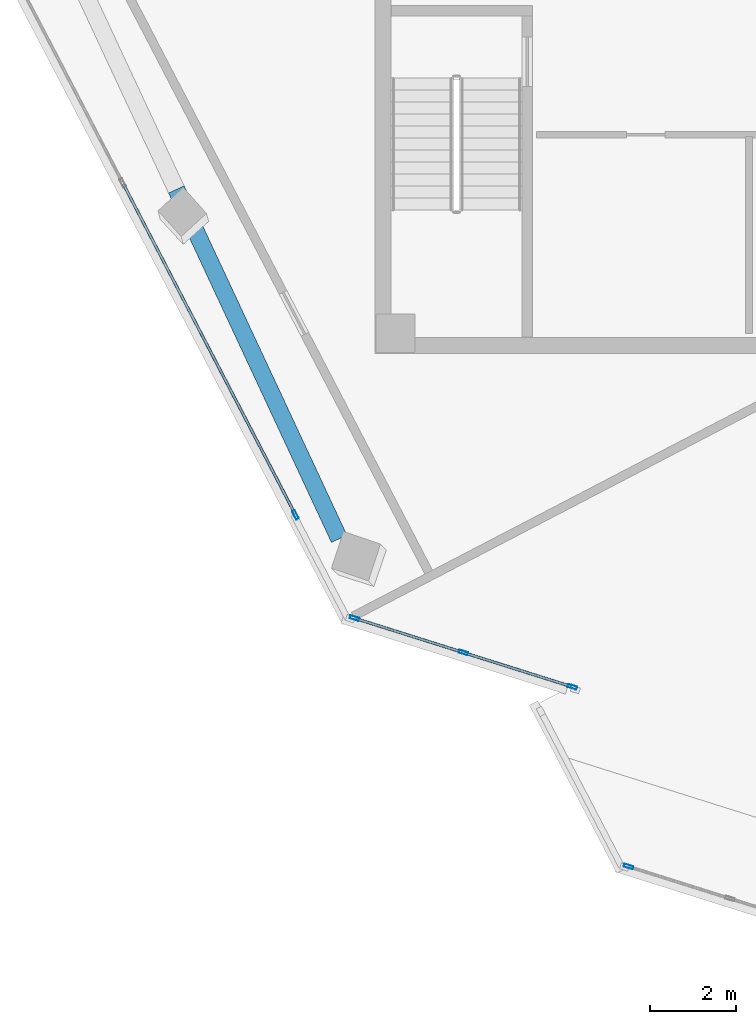
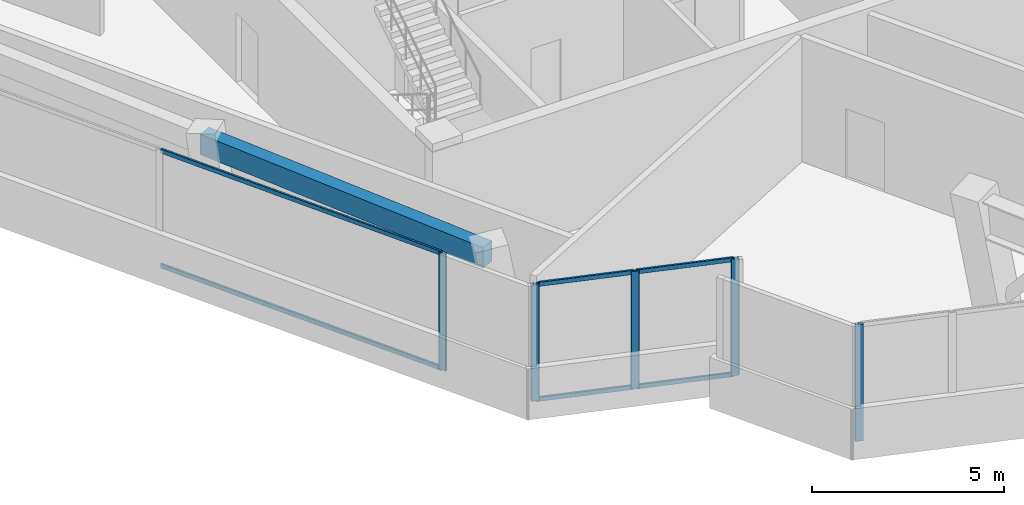
# One storey, part 2 of 16: 11 members, 1 beam, 3 elements without a shape of their own.
"""IFC4 building model written with IfcOpenShell, lengths in metres."""

from ifc_helpers import new_model, si_unit, direction, frame, origin, origin_2d, place, context, subcontext, project, spatial, rectangle, hollow_rectangle, extrude, source, transform, mapped, material, material_profile, profile_set, type_object, element, aggregate, save


model = new_model("IFC4")

# Units and contexts
model_context = context("Model", 3, precision=1e-05, world=origin(), true_north=direction((0.0, 1.0)))
body_context = subcontext(model_context, "Body", "Model", "MODEL_VIEW")
ifc_project = project(units=[si_unit("LENGTHUNIT", "METRE"), si_unit("AREAUNIT", "SQUARE_METRE"), si_unit("VOLUMEUNIT", "CUBIC_METRE"), si_unit("PLANEANGLEUNIT", "RADIAN"), si_unit("MASSUNIT", "GRAM", prefix="KILO")], contexts=[model_context])

# Site, building, storey
site_placement = place(None, origin())
site = spatial("IfcSite", under=ifc_project, at=site_placement, CompositionType="ELEMENT")
building_placement = place(site_placement, origin())
building = spatial("IfcBuilding", under=site, at=building_placement, Name="Torre Montelarca", CompositionType="ELEMENT")
storey_placement = place(building_placement, frame((0.0, 0.0, 336.60009765625)))
storey = spatial("IfcBuildingStorey", under=building, at=storey_placement, Name="L76", CompositionType="ELEMENT", Elevation=336.60009765625)

# Beam
ifc_material_1 = material(Name="Concrete C40/50", Category="concrete")
ifc_material_profile_1 = material_profile(ifc_material_1, rectangle(XDim=0.39990234375, YDim=0.64990234375, at=origin_2d()), Name="RCB400X650", Category="concrete")
ifc_profile_set_1 = profile_set([ifc_material_profile_1], Name="Concrete C40/50")
beam_type = type_object("IfcBeamType", Name="BM-SP-RC650-EXT", PredefinedType="SPANDREL", material=ifc_profile_set_1)
shared_shape_1 = source(origin(), body_context, "Body", "SweptSolid", [
    extrude(rectangle(XDim=0.39990234375, YDim=0.64990234375, at=origin_2d()), origin(), (0.0, 0.0, 1.0), 9.0),
])
beam_placement = place(storey_placement, frame((4.432373046875, 27.903076171875, 3.635009765625), z_axis=(0.422610711302, -0.906311307826, 0.0), x_axis=(0.906311307826, 0.422610711302, 0.0)))
element("IfcBeam", 1, at=beam_placement, inside=storey, type_object=beam_type, Name="L76 Grid Girder X 18.0-27.0 at Y=14.8", PredefinedType="SPANDREL", context=body_context, shape_type="MappedRepresentation", body=[
    mapped(shared_shape_1, transform((0.0, 0.0, 0.0), scale=1.0)),
])

# Curtain wall, members
ifc_material_2 = material(Name="Insulated low-E laminated glass", Category="glass")
curtain_wall_type = type_object("IfcCurtainWallType", Name="CW-SYS-Z4", PredefinedType="USERDEFINED", material=ifc_material_2)
curtain_wall_1_placement = place(storey_placement, origin())
curtain_wall_1 = element("IfcCurtainWall", 2, at=curtain_wall_1_placement, inside=storey, type_object=curtain_wall_type, Name="L76 Curtain Wall Run CW-T3-L76-E02-B1", ObjectType="UNITISED GLAZING", PredefinedType="USERDEFINED")
ifc_material_3 = material(Name="Anodised aluminium AA 6063-T6", Category="aluminium")
ifc_material_profile_2 = material_profile(ifc_material_3, hollow_rectangle(XDim=0.06494140625, YDim=0.139892578125, WallThickness=0.00390625, InnerFilletRadius=0.00390625, OuterFilletRadius=0.008056640625, at=origin_2d()), Name="ALU65X140X4", Category="aluminium")
ifc_profile_set_2 = profile_set([ifc_material_profile_2], Name="Anodised aluminium AA 6063-T6")
member_type_1 = type_object("IfcMemberType", Name="CWT-ALU140", PredefinedType="USERDEFINED", material=ifc_profile_set_2)
shared_shape_2 = source(origin(), body_context, "Body", "SweptSolid", [
    extrude(hollow_rectangle(XDim=0.06494140625, YDim=0.139892578125, WallThickness=0.00390625, InnerFilletRadius=0.00390625, OuterFilletRadius=0.008056640625, at=origin_2d()), origin(), (0.0, 0.0, 1.0), 2.59228515625),
])
member_1_placement = place(storey_placement, frame((11.170654296875, 17.080078125, 0.032470703125), z_axis=(0.953717783551, -0.300703158179, 0.0), x_axis=(0.300703158179, 0.953717783551, 0.0)))
member_1 = element("IfcMember", 3, at=member_1_placement, type_object=member_type_1, Name="CW transom 2.1", ObjectType="TRANSOM", PredefinedType="USERDEFINED", context=body_context, shape_type="MappedRepresentation", body=[
    mapped(shared_shape_2, transform((0.0, 0.0, 0.0), scale=1.0)),
])
member_2_placement = place(storey_placement, frame((11.170654296875, 17.080078125, 3.6875), z_axis=(0.953717783551, -0.300703158179, 0.0), x_axis=(0.300703158179, 0.953717783551, 0.0)))
member_2 = element("IfcMember", 4, at=member_2_placement, type_object=member_type_1, Name="CW transom 2.2", ObjectType="TRANSOM", PredefinedType="USERDEFINED", context=body_context, shape_type="MappedRepresentation", body=[
    mapped(shared_shape_2, transform((0.0, 0.0, 0.0), scale=1.0)),
])

# Curtain wall, member
curtain_wall_2_placement = place(storey_placement, origin())
curtain_wall_2 = element("IfcCurtainWall", 5, at=curtain_wall_2_placement, inside=storey, type_object=curtain_wall_type, Name="L76 Curtain Wall Run CW-T3-L76-E01-B1", ObjectType="UNITISED GLAZING", PredefinedType="USERDEFINED")
ifc_material_profile_3 = material_profile(ifc_material_3, hollow_rectangle(XDim=0.074951171875, YDim=0.219970703125, WallThickness=0.0048828125, InnerFilletRadius=0.0048828125, OuterFilletRadius=0.010009765625, at=origin_2d()), Name="ALU75X220X5", Category="aluminium")
ifc_profile_set_3 = profile_set([ifc_material_profile_3], Name="Anodised aluminium AA 6063-T6")
member_type_2 = type_object("IfcMemberType", Name="CWM-ALU220", PredefinedType="MULLION", material=ifc_profile_set_3)
shared_shape_3 = source(origin(), body_context, "Body", "SweptSolid", [
    extrude(hollow_rectangle(XDim=0.074951171875, YDim=0.219970703125, WallThickness=0.0048828125, InnerFilletRadius=0.0048828125, OuterFilletRadius=0.010009765625, at=origin_2d()), origin(), (0.0, 0.0, 1.0), 3.719970703125),
])
member_3_placement = place(storey_placement, frame((7.2158203125, 20.305908203125, 0.0), z_axis=(0.0, 0.0, 1.0), x_axis=(0.88701070836, 0.461748853009, 0.0)))
member_3 = element("IfcMember", 6, at=member_3_placement, type_object=member_type_2, Name="CW mullion 3", PredefinedType="MULLION", context=body_context, shape_type="MappedRepresentation", body=[
    mapped(shared_shape_3, transform((0.0, 0.0, 0.0), scale=1.0)),
])

# Member
member_4_placement = place(storey_placement, frame((8.5908203125, 17.893310546875, 0.0), z_axis=(0.0, 0.0, 1.0), x_axis=(0.300697870509, 0.953719450714, 0.0)))
member_4 = element("IfcMember", 7, at=member_4_placement, type_object=member_type_2, Name="CW mullion 1", PredefinedType="MULLION", context=body_context, shape_type="MappedRepresentation", body=[
    mapped(shared_shape_3, transform((0.0, 0.0, 0.0), scale=1.0)),
])

member_5_placement = place(storey_placement, frame((11.134765625, 17.09130859375, 0.0), z_axis=(0.0, 0.0, 1.0), x_axis=(0.300697870509, 0.953719450714, 0.0)))
member_5 = element("IfcMember", 8, at=member_5_placement, type_object=member_type_2, Name="CW mullion 2", PredefinedType="MULLION", context=body_context, shape_type="MappedRepresentation", body=[
    mapped(shared_shape_3, transform((0.0, 0.0, 0.0), scale=1.0)),
])

member_6_placement = place(storey_placement, frame((13.678955078125, 16.2890625, 0.0), z_axis=(0.0, 0.0, 1.0), x_axis=(0.300697870509, 0.953719450714, 0.0)))
member_6 = element("IfcMember", 9, at=member_6_placement, type_object=member_type_2, Name="CW mullion 3", PredefinedType="MULLION", context=body_context, shape_type="MappedRepresentation", body=[
    mapped(shared_shape_3, transform((0.0, 0.0, 0.0), scale=1.0)),
])

# Curtain wall, member
curtain_wall_3_placement = place(storey_placement, origin())
curtain_wall_3 = element("IfcCurtainWall", 10, at=curtain_wall_3_placement, inside=storey, type_object=curtain_wall_type, Name="L76 Curtain Wall Run CW-T3-L76-E05-B1", ObjectType="UNITISED GLAZING", PredefinedType="USERDEFINED")
member_7_placement = place(storey_placement, frame((14.991943359375, 12.093994140625, 0.0), z_axis=(0.0, 0.0, 1.0), x_axis=(0.300692834013, 0.953721038655, 0.0)))
member_7 = element("IfcMember", 11, at=member_7_placement, type_object=member_type_2, Name="CW mullion 1", PredefinedType="MULLION", context=body_context, shape_type="MappedRepresentation", body=[
    mapped(shared_shape_3, transform((0.0, 0.0, 0.0), scale=1.0)),
])
aggregate(curtain_wall_3, [member_7])

# Member
shared_shape_4 = source(origin(), body_context, "Body", "SweptSolid", [
    extrude(hollow_rectangle(XDim=0.06494140625, YDim=0.139892578125, WallThickness=0.00390625, InnerFilletRadius=0.00390625, OuterFilletRadius=0.008056640625, at=origin_2d()), origin(), (0.0, 0.0, 1.0), 2.592529296875),
])
member_8_placement = place(storey_placement, frame((8.62646484375, 17.882080078125, 0.032470703125), z_axis=(0.953726298, -0.300676152203, 0.0), x_axis=(0.300676152203, 0.953726298, 0.0)))
member_8 = element("IfcMember", 12, at=member_8_placement, type_object=member_type_1, Name="CW transom 1.1", ObjectType="TRANSOM", PredefinedType="USERDEFINED", context=body_context, shape_type="MappedRepresentation", body=[
    mapped(shared_shape_4, transform((0.0, 0.0, 0.0), scale=1.0)),
])

member_9_placement = place(storey_placement, frame((8.62646484375, 17.882080078125, 3.6875), z_axis=(0.953726298, -0.300676152203, 0.0), x_axis=(0.300676152203, 0.953726298, 0.0)))
member_9 = element("IfcMember", 13, at=member_9_placement, type_object=member_type_1, Name="CW transom 1.2", ObjectType="TRANSOM", PredefinedType="USERDEFINED", context=body_context, shape_type="MappedRepresentation", body=[
    mapped(shared_shape_4, transform((0.0, 0.0, 0.0), scale=1.0)),
])

aggregate(curtain_wall_1, [member_4, member_5, member_6, member_8, member_9, member_1, member_2])

shared_shape_5 = source(origin(), body_context, "Body", "SweptSolid", [
    extrude(hollow_rectangle(XDim=0.06494140625, YDim=0.139892578125, WallThickness=0.00390625, InnerFilletRadius=0.00390625, OuterFilletRadius=0.008056640625, at=origin_2d()), origin(), (0.0, 0.0, 1.0), 8.661865234375),
])
member_10_placement = place(storey_placement, frame((3.198974609375, 28.0224609375, 0.032470703125), z_axis=(0.461731634246, -0.887019671674, 0.0), x_axis=(0.887019671674, 0.461731634246, 0.0)))
member_10 = element("IfcMember", 14, at=member_10_placement, type_object=member_type_1, Name="CW transom 2.1", ObjectType="TRANSOM", PredefinedType="USERDEFINED", context=body_context, shape_type="MappedRepresentation", body=[
    mapped(shared_shape_5, transform((0.0, 0.0, 0.0), scale=1.0)),
])

member_11_placement = place(storey_placement, frame((3.198974609375, 28.0224609375, 3.6875), z_axis=(0.461731634246, -0.887019671674, 0.0), x_axis=(0.887019671674, 0.461731634246, 0.0)))
member_11 = element("IfcMember", 15, at=member_11_placement, type_object=member_type_1, Name="CW transom 2.2", ObjectType="TRANSOM", PredefinedType="USERDEFINED", context=body_context, shape_type="MappedRepresentation", body=[
    mapped(shared_shape_5, transform((0.0, 0.0, 0.0), scale=1.0)),
])

aggregate(curtain_wall_2, [member_3, member_10, member_11])

save(model, "model.ifc")
